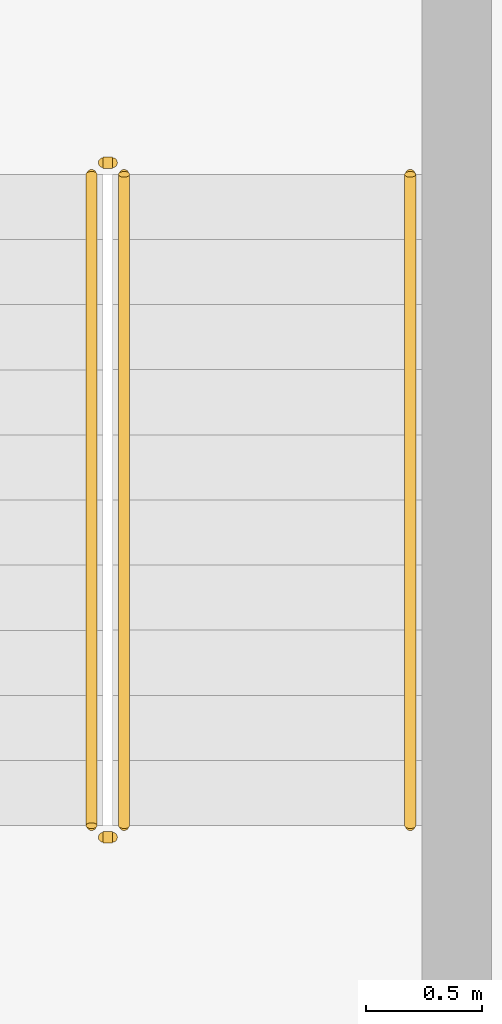
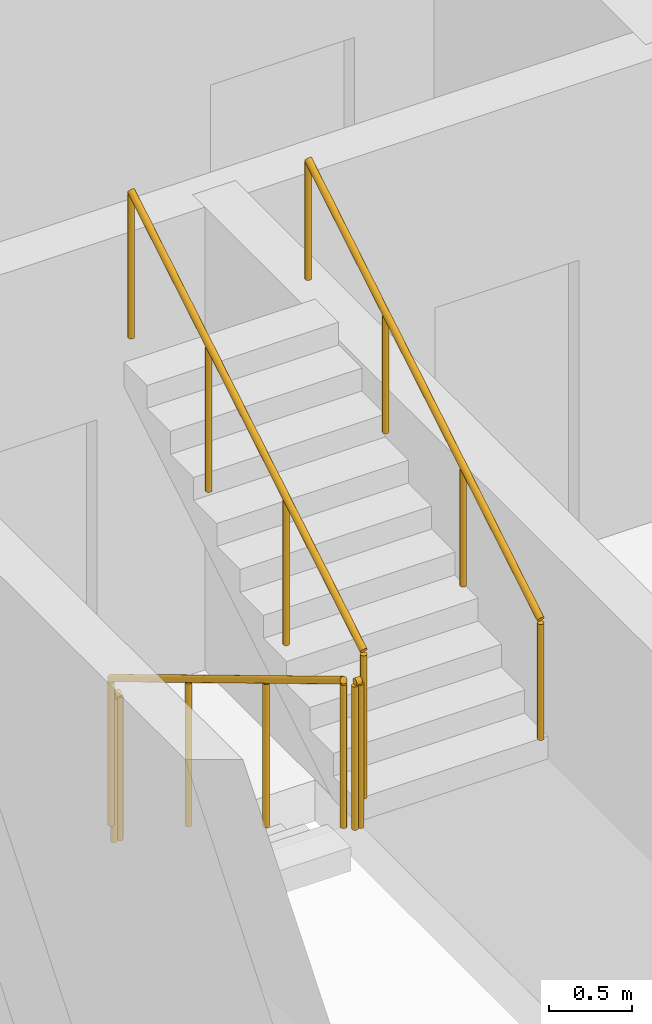
# One storey, part 33 of 36: 5 railings.
"""IFC4 building model written with IfcOpenShell, lengths in metres."""

from ifc_helpers import new_model, si_unit, direction, frame, origin, origin_2d, place, context, subcontext, project, spatial, circle, extrude, material, type_object, element, save


model = new_model("IFC4")

# Units and contexts
model_context = context("Model", 3, precision=1e-05, world=origin(), true_north=direction((0.0, 1.0)))
body_context = subcontext(model_context, "Body", "Model", "MODEL_VIEW")
ifc_project = project(units=[si_unit("LENGTHUNIT", "METRE"), si_unit("AREAUNIT", "SQUARE_METRE"), si_unit("VOLUMEUNIT", "CUBIC_METRE"), si_unit("PLANEANGLEUNIT", "RADIAN"), si_unit("MASSUNIT", "GRAM", prefix="KILO")], contexts=[model_context])

# Site, building, storey
site_placement = place(None, origin())
site = spatial("IfcSite", under=ifc_project, at=site_placement, CompositionType="ELEMENT")
building_placement = place(site_placement, origin())
building = spatial("IfcBuilding", under=site, at=building_placement, Name="Ogive Portal Towers", CompositionType="ELEMENT")
storey_placement = place(building_placement, frame((0.0, 0.0, 48.300048828125)))
storey = spatial("IfcBuildingStorey", under=building, at=storey_placement, Name="L10", CompositionType="ELEMENT", Elevation=48.300048828125)

# Railings
ifc_material_1 = material(Name="Stainless steel balustrade", Category="steel")
railing_type_1 = type_object("IfcRailingType", Name="INT-GUARD", PredefinedType="GUARDRAIL", material=ifc_material_1)
railing_1_placement = place(storey_placement, frame((88.280029296875, 29.169921875, 0.168212890625)))
element("IfcRailing", 1, at=railing_1_placement, inside=storey, type_object=railing_type_1, Name="L10 ST-A4 stair guard 1", PredefinedType="GUARDRAIL", context=body_context, shape_type="SweptSolid", body=[
    extrude(circle(Radius=0.02392578125, at=origin_2d()), frame((0.0, 0.0, 1.076171875), z_axis=(0.0, -0.857255387014, 0.514891446264), x_axis=(1.0, 0.0, 0.0)), (0.0, 0.0, 1.0), 3.26611328125),
    extrude(circle(Radius=0.02099609375, at=origin_2d()), origin(), (0.0, 0.0, 1.0), 1.052001953125),
    extrude(circle(Radius=0.02099609375, at=origin_2d()), frame((0.0, -0.933349609375, 0.560546875)), (0.0, 0.0, 1.0), 1.052001953125),
    extrude(circle(Radius=0.02099609375, at=origin_2d()), frame((0.0, -1.866455078125, 1.12109375)), (0.0, 0.0, 1.0), 1.052001953125),
    extrude(circle(Radius=0.02099609375, at=origin_2d()), frame((0.0, -2.7998046875, 1.681640625)), (0.0, 0.0, 1.0), 1.052001953125),
])
railing_2_placement = place(storey_placement, frame((88.330078125, 26.320068359375, 1.849853515625)))
element("IfcRailing", 2, at=railing_2_placement, inside=storey, type_object=railing_type_1, Name="L10 ST-A4 stair guard 2", PredefinedType="GUARDRAIL", context=body_context, shape_type="SweptSolid", body=[
    extrude(circle(Radius=0.02392578125, at=origin_2d()), frame((0.0, 0.0, 1.076171875), z_axis=(1.0, 0.0, 0.0), x_axis=(0.0, 1.0, 0.0)), (0.0, 0.0, 1.0), 0.0400390625),
    extrude(circle(Radius=0.02099609375, at=origin_2d()), origin(), (0.0, 0.0, 1.0), 1.052001953125),
    extrude(circle(Radius=0.02099609375, at=origin_2d()), frame((0.0400390625, 0.0, 0.0)), (0.0, 0.0, 1.0), 1.052001953125),
])
railing_3_placement = place(storey_placement, frame((88.419921875, 26.3701171875, 2.01806640625)))
element("IfcRailing", 3, at=railing_3_placement, inside=storey, type_object=railing_type_1, Name="L10 ST-A4 stair guard 3", PredefinedType="GUARDRAIL", context=body_context, shape_type="SweptSolid", body=[
    extrude(circle(Radius=0.02392578125, at=origin_2d()), frame((0.0, 0.0, 1.076171875), z_axis=(0.0, 0.857222391501, 0.514946377315), x_axis=(-1.0, 0.0, 0.0)), (0.0, 0.0, 1.0), 3.26611328125),
    extrude(circle(Radius=0.02099609375, at=origin_2d()), origin(), (0.0, 0.0, 1.0), 1.052001953125),
    extrude(circle(Radius=0.02099609375, at=origin_2d()), frame((0.0, 0.933349609375, 0.560546875)), (0.0, 0.0, 1.0), 1.052001953125),
    extrude(circle(Radius=0.02099609375, at=origin_2d()), frame((0.0, 1.866455078125, 1.121337890625)), (0.0, 0.0, 1.0), 1.052001953125),
    extrude(circle(Radius=0.02099609375, at=origin_2d()), frame((0.0, 2.7998046875, 1.681884765625)), (0.0, 0.0, 1.0), 1.052001953125),
])
railing_4_placement = place(storey_placement, frame((88.330078125, 29.219970703125, 0.0)))
element("IfcRailing", 4, at=railing_4_placement, inside=storey, type_object=railing_type_1, Name="L10 ST-A4 stair guard 4", PredefinedType="GUARDRAIL", context=body_context, shape_type="SweptSolid", body=[
    extrude(circle(Radius=0.02392578125, at=origin_2d()), frame((0.0, 0.0, 1.076171875), z_axis=(1.0, 0.0, 0.0), x_axis=(0.0, 1.0, 0.0)), (0.0, 0.0, 1.0), 0.0400390625),
    extrude(circle(Radius=0.02099609375, at=origin_2d()), origin(), (0.0, 0.0, 1.0), 1.052001953125),
    extrude(circle(Radius=0.02099609375, at=origin_2d()), frame((0.0400390625, 0.0, 0.0)), (0.0, 0.0, 1.0), 1.052001953125),
])
ifc_material_2 = material(Name="Stainless steel handrail", Category="steel")
railing_type_2 = type_object("IfcRailingType", Name="INT-HANDRAIL", PredefinedType="HANDRAIL", material=ifc_material_2)
railing_5_placement = place(storey_placement, frame((89.64990234375, 26.3701171875, 2.01806640625)))
element("IfcRailing", 5, at=railing_5_placement, inside=storey, type_object=railing_type_2, Name="L10 ST-A4 stair handrail 2", PredefinedType="HANDRAIL", context=body_context, shape_type="SweptSolid", body=[
    extrude(circle(Radius=0.02392578125, at=origin_2d()), frame((0.0, 0.0, 0.8759765625), z_axis=(0.0, 0.857222391501, 0.514946377315), x_axis=(-1.0, 0.0, 0.0)), (0.0, 0.0, 1.0), 3.26611328125),
    extrude(circle(Radius=0.02099609375, at=origin_2d()), origin(), (0.0, 0.0, 1.0), 0.851806640625),
    extrude(circle(Radius=0.02099609375, at=origin_2d()), frame((0.0, 0.933349609375, 0.560546875)), (0.0, 0.0, 1.0), 0.851806640625),
    extrude(circle(Radius=0.02099609375, at=origin_2d()), frame((0.0, 1.866455078125, 1.121337890625)), (0.0, 0.0, 1.0), 0.851806640625),
    extrude(circle(Radius=0.02099609375, at=origin_2d()), frame((0.0, 2.7998046875, 1.681884765625)), (0.0, 0.0, 1.0), 0.851806640625),
])

save(model, "model.ifc")
